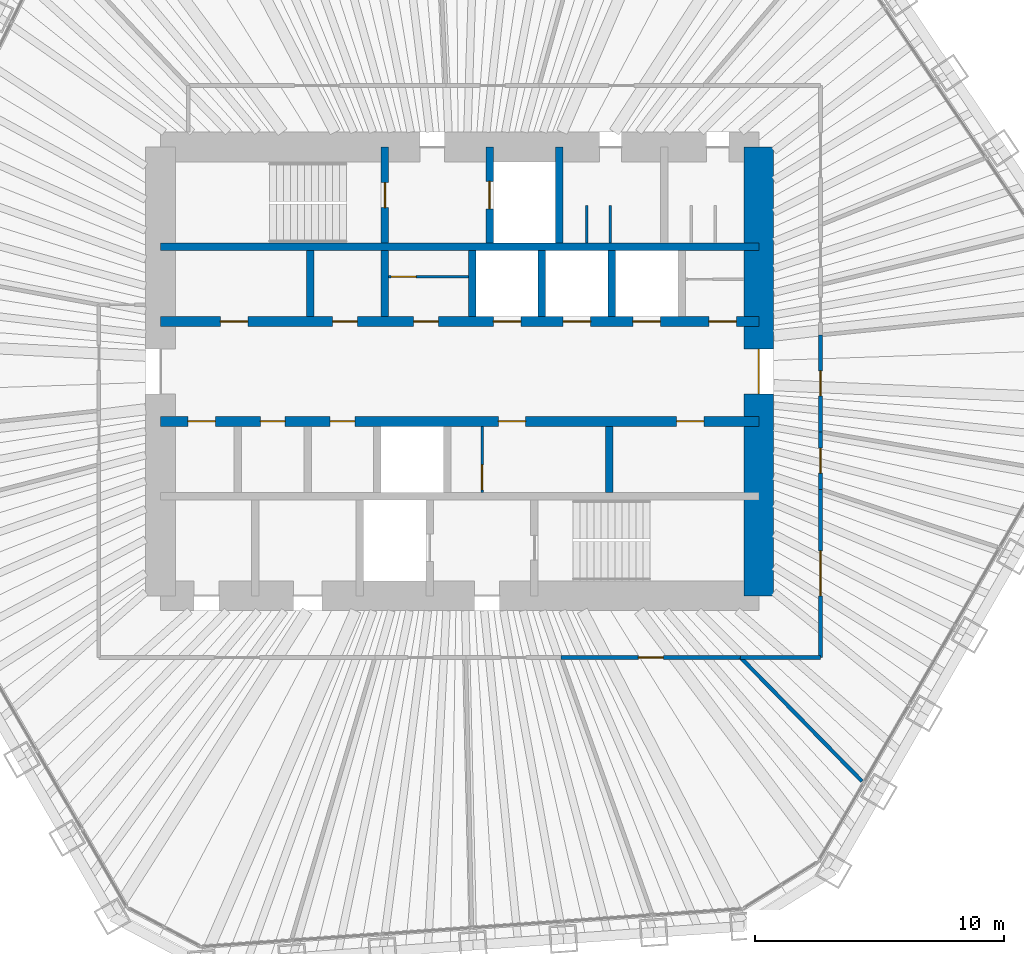
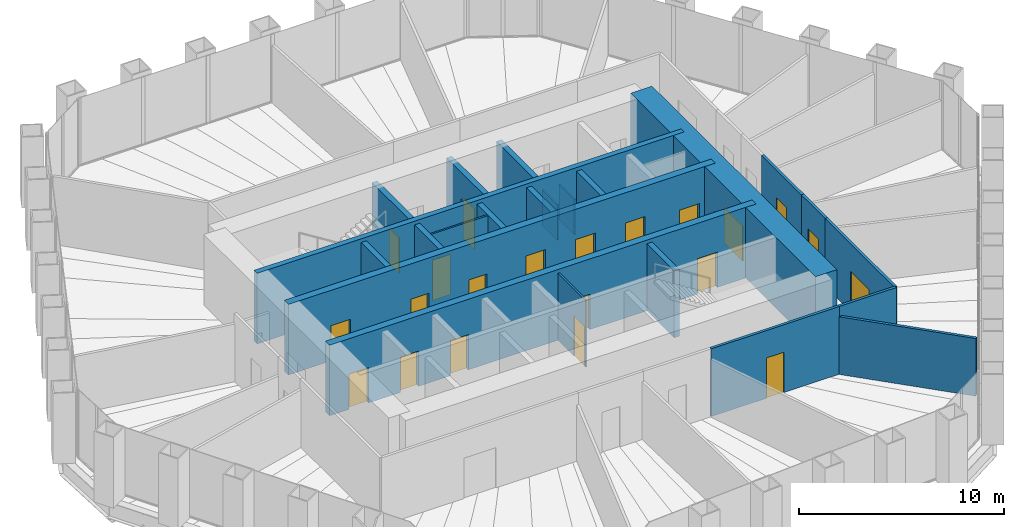
# One storey, part 11 of 13: 23 walls, 21 doors, 21 openings.
"""IFC4 building model written with IfcOpenShell, lengths in metres."""

import ifcopenshell
import ifcopenshell.guid

model = None  # the IFC model being written
_history = None  # IfcOwnerHistory: only IFC2X3 demands one
_inside = {}  # id of a spatial element -> (the spatial element, [elements in it])
_under = {}  # id of a project, library or spatial element -> (it, [spatial elements below it])
_declared = {}  # id of a project -> (the project, [libraries it declares])
_typed = {}  # id of a type object -> (the type object, [elements of that type])
_made_of = {}  # id of a material, layer set ... -> (it, [elements and type objects made of it])


def new_model(schema):
    """Start an empty IFC model of exactly this schema.

    Asked for "IFC4X3", IfcOpenShell would pick the latest addendum, in which some entities
    have other attributes; the version numbers below select the first issue.
    IFC2X3 requires an IfcOwnerHistory on every rooted entity: one is made here for all.
    """
    global model, _history
    if schema == "IFC4X3":
        model = ifcopenshell.file(schema_version=(4, 3, 0, 0))
    else:
        model = ifcopenshell.file(schema=schema)
    _inside.clear()
    _under.clear()
    _declared.clear()
    _typed.clear()
    _made_of.clear()
    _history = None
    if model.schema == "IFC2X3":
        org = make("IfcOrganization", Name="unknown")
        user = make(
            "IfcPersonAndOrganization",
            ThePerson=make("IfcPerson", FamilyName="unknown"),
            TheOrganization=org,
        )
        app = make(
            "IfcApplication",
            ApplicationDeveloper=org,
            Version="unknown",
            ApplicationFullName="unknown",
            ApplicationIdentifier="unknown",
        )
        _history = make(
            "IfcOwnerHistory",
            OwningUser=user,
            OwningApplication=app,
            ChangeAction="ADDED",
            CreationDate=0,
        )
    return model


def make(cls, **values):
    """One entity of the class cls with the attributes given. An attribute that is None is left unset."""
    return model.create_entity(
        cls, **{name: value for name, value in values.items() if value is not None}
    )


def rooted(cls, **values):
    """An entity with a GlobalId (a new one), such as an element, a storey or a relation."""
    return make(cls, GlobalId=ifcopenshell.guid.new(), OwnerHistory=_history, **values)


def si_unit(unit_type, name, prefix=None):
    """IfcSIUnit, for example si_unit("LENGTHUNIT", "METRE", prefix="MILLI")."""
    return make("IfcSIUnit", UnitType=unit_type, Prefix=prefix, Name=name)


def assignment(units):
    """IfcUnitAssignment: the units of a project."""
    return None if units is None else make("IfcUnitAssignment", Units=units)


def point(xyz):
    """IfcCartesianPoint."""
    return None if xyz is None else make("IfcCartesianPoint", Coordinates=xyz)


def direction(xyz):
    """IfcDirection."""
    return None if xyz is None else make("IfcDirection", DirectionRatios=xyz)


def frame(location, z_axis=None, x_axis=None):
    """IfcAxis2Placement3D, a coordinate frame: its origin and axes. An axis left out is left unset."""
    return make(
        "IfcAxis2Placement3D",
        Location=point(location),
        Axis=direction(z_axis),
        RefDirection=direction(x_axis),
    )


def frame_2d(location, x_axis=None):
    """IfcAxis2Placement2D, a coordinate frame in the plane: its origin and x axis."""
    return make(
        "IfcAxis2Placement2D", Location=point(location), RefDirection=direction(x_axis)
    )


def origin():
    """The frame at (0, 0, 0) with its axes left unset."""
    return frame((0.0, 0.0, 0.0))


def place(relative_to, where):
    """IfcLocalPlacement: puts the frame where relative to a parent placement (None: the world)."""
    return make(
        "IfcLocalPlacement", PlacementRelTo=relative_to, RelativePlacement=where
    )


def context(
    kind, dimensions, precision=None, world=None, true_north=None, identifier=None
):
    """IfcGeometricRepresentationContext, for example the 3D "Model" context."""
    return make(
        "IfcGeometricRepresentationContext",
        ContextIdentifier=identifier,
        ContextType=kind,
        CoordinateSpaceDimension=dimensions,
        Precision=precision,
        WorldCoordinateSystem=world,
        TrueNorth=true_north,
    )


def subcontext(parent, identifier, kind, view, scale=None):
    """IfcGeometricRepresentationSubContext, for example "Body" below "Model"."""
    return make(
        "IfcGeometricRepresentationSubContext",
        ContextIdentifier=identifier,
        ContextType=kind,
        ParentContext=parent,
        TargetScale=scale,
        TargetView=view,
    )


def project(units=None, contexts=None):
    """IfcProject with its units and contexts."""
    return rooted(
        "IfcProject",
        Name="project",
        RepresentationContexts=contexts,
        UnitsInContext=assignment(units),
    )


def spatial(cls, under=None, at=None, **own):
    """A site, building, storey or space (cls), placed at a placement, below another one or the project."""
    s = rooted(cls, ObjectPlacement=at, **own)
    if under is not None:
        _under.setdefault(under.id(), (under, []))[1].append(s)
    return s


def profile(cls, at=None, kind="AREA", **sizes):
    """A parametric profile (cls). Its sizes go by their IFC names, for example OverallWidth=200.0."""
    return make(cls, ProfileType=kind, Position=at, **sizes)


def rectangle(**sizes):
    """IfcRectangleProfileDef."""
    return profile("IfcRectangleProfileDef", **sizes)


def extrude(swept, where, along, depth):
    """IfcExtrudedAreaSolid: the profile swept, set in the frame where, extruded along a direction by depth."""
    return make(
        "IfcExtrudedAreaSolid",
        SweptArea=swept,
        Position=where,
        ExtrudedDirection=direction(along),
        Depth=depth,
    )


def shape(context_of_items, identifier, shape_type, items):
    """IfcShapeRepresentation: the items that make up one representation, for example the "Body"."""
    return make(
        "IfcShapeRepresentation",
        ContextOfItems=context_of_items,
        RepresentationIdentifier=identifier,
        RepresentationType=shape_type,
        Items=items,
    )


def material(Name=None, Category=None):
    """IfcMaterial."""
    return make("IfcMaterial", Name=Name, Category=Category)


def layer(
    of_material, thickness, ventilated=None, Name=None, Category=None, Priority=None
):
    """IfcMaterialLayer: one layer of a wall or slab, of a material (None: an air gap)."""
    return make(
        "IfcMaterialLayer",
        Material=of_material,
        LayerThickness=thickness,
        IsVentilated=ventilated,
        Name=Name,
        Category=Category,
        Priority=Priority,
    )


def layer_set(layers, Name=None):
    """IfcMaterialLayerSet."""
    return make("IfcMaterialLayerSet", MaterialLayers=layers, LayerSetName=Name)


def made_of(thing, what):
    """Note that an element or type object is made of a material, layer set ...; save() writes the relation."""
    if what is not None:
        _made_of.setdefault(what.id(), (what, []))[1].append(thing)
    return thing


def type_object(cls, material=None, **own):
    """A type object (cls), such as IfcWallType, which elements share."""
    return made_of(rooted(cls, **own), material)


def element(
    cls,
    number,
    at=None,
    inside=None,
    cuts=None,
    type_object=None,
    material=None,
    context=None,
    identifier="Body",
    shape_type=None,
    held_by="IfcProductDefinitionShape",
    body=None,
    shapes=None,
    **own,
):
    """One element of the class cls, such as IfcWall. Its Tag is "e" and its number.

    at: its placement. inside: the storey or other place that contains it. cuts: it is an
    opening in that element (IfcRelVoidsElement). A single representation is given by context,
    identifier, shape_type and body (its items); several are given by shapes. held_by: the class
    of the entity that holds the representations. save() writes the other relations.
    """
    e = rooted(cls, Tag="e%d" % number, ObjectPlacement=at, **own)
    if body is not None:
        shapes = [shape(context, identifier, shape_type, body)]
    if shapes is not None:
        e.Representation = make(held_by, Representations=shapes)
    if inside is not None:
        _inside.setdefault(inside.id(), (inside, []))[1].append(e)
    if cuts is not None:
        rooted(
            "IfcRelVoidsElement", RelatingBuildingElement=cuts, RelatedOpeningElement=e
        )
    if type_object is not None:
        _typed.setdefault(type_object.id(), (type_object, []))[1].append(e)
    return made_of(e, material)


def fill(opening, filler):
    """IfcRelFillsElement: the door or window that sits in an opening."""
    return rooted(
        "IfcRelFillsElement",
        RelatingOpeningElement=opening,
        RelatedBuildingElement=filler,
    )


def aggregate(whole, parts):
    """IfcRelAggregates: a whole, such as a stair, and the parts it consists of."""
    return rooted("IfcRelAggregates", RelatingObject=whole, RelatedObjects=parts)


def save(model, path):
    """Write the relations noted so far, then the file.

    IfcRelAggregates (storeys below a building ...), IfcRelContainedInSpatialStructure (elements
    in a storey), IfcRelDefinesByType, IfcRelAssociatesMaterial and IfcRelDeclares: one each for
    every whole, place, type object, material and project.
    """
    for whole, parts in _under.values():
        aggregate(whole, parts)
    for where, things in _inside.values():
        rooted(
            "IfcRelContainedInSpatialStructure",
            RelatedElements=things,
            RelatingStructure=where,
        )
    for kind, things in _typed.values():
        rooted("IfcRelDefinesByType", RelatedObjects=things, RelatingType=kind)
    for what, things in _made_of.values():
        rooted("IfcRelAssociatesMaterial", RelatedObjects=things, RelatingMaterial=what)
    for by, libraries in _declared.values():
        rooted("IfcRelDeclares", RelatingContext=by, RelatedDefinitions=libraries)
    model.write(path)


model = new_model("IFC4")

# Units and contexts
model_context = context("Model", 3, precision=1e-05, world=origin(), true_north=direction((0.0, 1.0)))
body_context = subcontext(model_context, "Body", "Model", "MODEL_VIEW")
ifc_project = project(units=[si_unit("LENGTHUNIT", "METRE"), si_unit("AREAUNIT", "SQUARE_METRE"), si_unit("VOLUMEUNIT", "CUBIC_METRE"), si_unit("PLANEANGLEUNIT", "RADIAN"), si_unit("MASSUNIT", "GRAM", prefix="KILO")], contexts=[model_context])

# Site, building, storey
site_placement = place(None, origin())
site = spatial("IfcSite", under=ifc_project, at=site_placement, CompositionType="ELEMENT")
building_placement = place(site_placement, origin())
building = spatial("IfcBuilding", under=site, at=building_placement, Name="Qingtian Harvest Tower", CompositionType="ELEMENT")
storey_placement = place(building_placement, frame((0.0, 0.0, 209.800048828125)))
storey = spatial("IfcBuildingStorey", under=building, at=storey_placement, Name="L45", CompositionType="ELEMENT", Elevation=209.800048828125)

# Wall
ifc_material_1 = material(Name="Concrete fc' 70 MPa", Category="concrete")
ifc_layer_1 = layer(ifc_material_1, 0.300048828125)
ifc_layer_set_1 = layer_set([ifc_layer_1], Name="Core inner wall RC5 300")
wall_type_1 = type_object("IfcWallType", Name="Core inner wall RC5 300", PredefinedType="SHEAR", material=ifc_layer_set_1)
wall_1_placement = place(storey_placement, frame((-12.0, 5.0, 0.0), z_axis=(0.0, 0.0, 1.0), x_axis=(1.0, 0.0, 0.0)))
element("IfcWall", 1, at=wall_1_placement, inside=storey, type_object=wall_type_1, Name="Core wall IN5 L45", PredefinedType="SHEAR", context=body_context, shape_type="SweptSolid", body=[
    extrude(rectangle(XDim=24.0, YDim=0.300048828125, at=frame_2d((12.0, 0.0))), origin(), (0.0, 0.0, 1.0), 4.199951171875),
])

# Wall, openings, doors
ifc_material_2 = material(Name="Concrete fc' 70 MPa", Category="concrete")
ifc_layer_2 = layer(ifc_material_2, 0.39990234375)
ifc_layer_set_2 = layer_set([ifc_layer_2], Name="Core inner web RC6 400")
wall_type_2 = type_object("IfcWallType", Name="Core inner web RC6 400", PredefinedType="SHEAR", material=ifc_layer_set_2)
wall_2_placement = place(storey_placement, frame((-12.0, 2.0, 0.0), z_axis=(0.0, 0.0, 1.0), x_axis=(1.0, 0.0, 0.0)))
wall_2 = element("IfcWall", 2, at=wall_2_placement, inside=storey, type_object=wall_type_2, Name="Core wall IN2 L45", PredefinedType="SHEAR", context=body_context, shape_type="SweptSolid", body=[
    extrude(rectangle(XDim=24.0, YDim=0.39990234375, at=frame_2d((12.0, 0.0))), origin(), (0.0, 0.0, 1.0), 4.199951171875),
])
opening_1_placement = place(wall_2_placement, frame((2.39990234375, 0.0, 0.0)))
opening_1 = element("IfcOpeningElement", 3, at=opening_1_placement, cuts=wall_2, Name="Opening FD4", PredefinedType="OPENING", context=body_context, shape_type="SweptSolid", body=[
    extrude(rectangle(XDim=1.10009765625, YDim=2.10009765625, at=frame_2d((0.550048828125, 1.050048828125))), frame((0.0, 0.2099609375, 0.0), z_axis=(0.0, -1.0, 0.0), x_axis=(1.0, 0.0, 0.0)), (0.0, 0.0, 1.0), 0.419921875),
])
opening_2_placement = place(wall_2_placement, frame((22.0, 0.0, 0.0)))
opening_2 = element("IfcOpeningElement", 4, at=opening_2_placement, cuts=wall_2, Name="Opening FD4", PredefinedType="OPENING", context=body_context, shape_type="SweptSolid", body=[
    extrude(rectangle(XDim=1.10009765625, YDim=2.10009765625, at=frame_2d((0.550048828125, 1.050048828125))), frame((0.0, 0.2099609375, 0.0), z_axis=(0.0, -1.0, 0.0), x_axis=(1.0, 0.0, 0.0)), (0.0, 0.0, 1.0), 0.419921875),
])
opening_3_placement = place(wall_2_placement, frame((10.14990234375, 0.0, 0.0)))
opening_3 = element("IfcOpeningElement", 5, at=opening_3_placement, cuts=wall_2, Name="Opening FD1", PredefinedType="OPENING", context=body_context, shape_type="SweptSolid", body=[
    extrude(rectangle(XDim=1.0, YDim=2.10009765625, at=frame_2d((0.5, 1.050048828125))), frame((0.0, 0.2099609375, 0.0), z_axis=(0.0, -1.0, 0.0), x_axis=(1.0, 0.0, 0.0)), (0.0, 0.0, 1.0), 0.419921875),
])
opening_4_placement = place(wall_2_placement, frame((6.89990234375, 0.0, 0.0)))
opening_4 = element("IfcOpeningElement", 6, at=opening_4_placement, cuts=wall_2, Name="Opening FD1", PredefinedType="OPENING", context=body_context, shape_type="SweptSolid", body=[
    extrude(rectangle(XDim=1.0, YDim=2.10009765625, at=frame_2d((0.5, 1.050048828125))), frame((0.0, 0.2099609375, 0.0), z_axis=(0.0, -1.0, 0.0), x_axis=(1.0, 0.0, 0.0)), (0.0, 0.0, 1.0), 0.419921875),
])
opening_5_placement = place(wall_2_placement, frame((13.35009765625, 0.0, 0.0)))
opening_5 = element("IfcOpeningElement", 7, at=opening_5_placement, cuts=wall_2, Name="Opening LD1", PredefinedType="OPENING", context=body_context, shape_type="SweptSolid", body=[
    extrude(rectangle(XDim=1.10009765625, YDim=2.39990234375, at=frame_2d((0.550048828125, 1.199951171875))), frame((0.0, 0.2099609375, 0.0), z_axis=(0.0, -1.0, 0.0), x_axis=(1.0, 0.0, 0.0)), (0.0, 0.0, 1.0), 0.419921875),
])
opening_6_placement = place(wall_2_placement, frame((16.14990234375, 0.0, 0.0)))
opening_6 = element("IfcOpeningElement", 8, at=opening_6_placement, cuts=wall_2, Name="Opening LD1", PredefinedType="OPENING", context=body_context, shape_type="SweptSolid", body=[
    extrude(rectangle(XDim=1.10009765625, YDim=2.39990234375, at=frame_2d((0.550048828125, 1.199951171875))), frame((0.0, 0.2099609375, 0.0), z_axis=(0.0, -1.0, 0.0), x_axis=(1.0, 0.0, 0.0)), (0.0, 0.0, 1.0), 0.419921875),
])
opening_7_placement = place(wall_2_placement, frame((18.949951171875, 0.0, 0.0)))
opening_7 = element("IfcOpeningElement", 9, at=opening_7_placement, cuts=wall_2, Name="Opening LD1", PredefinedType="OPENING", context=body_context, shape_type="SweptSolid", body=[
    extrude(rectangle(XDim=1.10009765625, YDim=2.39990234375, at=frame_2d((0.550048828125, 1.199951171875))), frame((0.0, 0.2099609375, 0.0), z_axis=(0.0, -1.0, 0.0), x_axis=(1.0, 0.0, 0.0)), (0.0, 0.0, 1.0), 0.419921875),
])
ifc_material_3 = material(Name="Steel-faced door leaf", Category="steel")
door_type_1 = type_object("IfcDoorType", Name="Fire door FD1 single 1 HR", OperationType="SINGLE_SWING_LEFT", PredefinedType="DOOR", material=ifc_material_3)
door_1_placement = place(opening_3_placement, origin())
door_1 = element("IfcDoor", 10, at=door_1_placement, inside=storey, type_object=door_type_1, Name="STA door L45", OperationType="SINGLE_SWING_LEFT", OverallHeight=2.10009765625, OverallWidth=1.0, PredefinedType="DOOR", context=body_context, shape_type="SweptSolid", body=[
    extrude(rectangle(XDim=1.0, YDim=2.10009765625, at=frame_2d((0.5, 1.050048828125))), frame((0.0, 0.02490234375, 0.0), z_axis=(0.0, -1.0, 0.0), x_axis=(1.0, 0.0, 0.0)), (0.0, 0.0, 1.0), 0.050048828125),
])
fill(opening_3, door_1)
door_2_placement = place(opening_4_placement, origin())
door_2 = element("IfcDoor", 11, at=door_2_placement, inside=storey, type_object=door_type_1, Name="Linen store door L45", OperationType="SINGLE_SWING_LEFT", OverallHeight=2.10009765625, OverallWidth=1.0, PredefinedType="DOOR", context=body_context, shape_type="SweptSolid", body=[
    extrude(rectangle(XDim=1.0, YDim=2.10009765625, at=frame_2d((0.5, 1.050048828125))), frame((0.0, 0.02490234375, 0.0), z_axis=(0.0, -1.0, 0.0), x_axis=(1.0, 0.0, 0.0)), (0.0, 0.0, 1.0), 0.050048828125),
])
fill(opening_4, door_2)
ifc_material_4 = material(Name="Steel-faced door leaf", Category="steel")
door_type_2 = type_object("IfcDoorType", Name="Fire door FD4 single 2 HR", OperationType="SINGLE_SWING_LEFT", PredefinedType="DOOR", material=ifc_material_4)
door_3_placement = place(opening_1_placement, origin())
door_3 = element("IfcDoor", 12, at=door_3_placement, inside=storey, type_object=door_type_2, Name="RA door L45", OperationType="SINGLE_SWING_LEFT", OverallHeight=2.10009765625, OverallWidth=1.10009765625, PredefinedType="DOOR", context=body_context, shape_type="SweptSolid", body=[
    extrude(rectangle(XDim=1.10009765625, YDim=2.10009765625, at=frame_2d((0.550048828125, 1.050048828125))), frame((0.0, 0.02490234375, 0.0), z_axis=(0.0, -1.0, 0.0), x_axis=(1.0, 0.0, 0.0)), (0.0, 0.0, 1.0), 0.050048828125),
])
fill(opening_1, door_3)
door_4_placement = place(opening_2_placement, origin())
door_4 = element("IfcDoor", 13, at=door_4_placement, inside=storey, type_object=door_type_2, Name="AHU door L45", OperationType="SINGLE_SWING_RIGHT", OverallHeight=2.10009765625, OverallWidth=1.10009765625, PredefinedType="DOOR", context=body_context, shape_type="SweptSolid", body=[
    extrude(rectangle(XDim=1.10009765625, YDim=2.10009765625, at=frame_2d((0.550048828125, 1.050048828125))), frame((0.0, 0.02490234375, 0.0), z_axis=(0.0, -1.0, 0.0), x_axis=(1.0, 0.0, 0.0)), (0.0, 0.0, 1.0), 0.050048828125),
])
fill(opening_2, door_4)
ifc_material_5 = material(Name="Stainless steel lift landing door", Category="steel")
door_type_3 = type_object("IfcDoorType", Name="Lift landing door LD1 1 HR", OperationType="DOUBLE_DOOR_SLIDING", PredefinedType="DOOR", material=ifc_material_5)
door_5_placement = place(opening_5_placement, origin())
door_5 = element("IfcDoor", 14, at=door_5_placement, inside=storey, type_object=door_type_3, Name="PLC1 landing door L45", OperationType="DOUBLE_DOOR_SLIDING", OverallHeight=2.39990234375, OverallWidth=1.10009765625, PredefinedType="DOOR", context=body_context, shape_type="SweptSolid", body=[
    extrude(rectangle(XDim=1.10009765625, YDim=2.39990234375, at=frame_2d((0.550048828125, 1.199951171875))), frame((0.0, 0.02490234375, 0.0), z_axis=(0.0, -1.0, 0.0), x_axis=(1.0, 0.0, 0.0)), (0.0, 0.0, 1.0), 0.050048828125),
])
fill(opening_5, door_5)
door_6_placement = place(opening_6_placement, origin())
door_6 = element("IfcDoor", 15, at=door_6_placement, inside=storey, type_object=door_type_3, Name="PLC2 landing door L45", OperationType="DOUBLE_DOOR_SLIDING", OverallHeight=2.39990234375, OverallWidth=1.10009765625, PredefinedType="DOOR", context=body_context, shape_type="SweptSolid", body=[
    extrude(rectangle(XDim=1.10009765625, YDim=2.39990234375, at=frame_2d((0.550048828125, 1.199951171875))), frame((0.0, 0.02490234375, 0.0), z_axis=(0.0, -1.0, 0.0), x_axis=(1.0, 0.0, 0.0)), (0.0, 0.0, 1.0), 0.050048828125),
])
fill(opening_6, door_6)
door_7_placement = place(opening_7_placement, origin())
door_7 = element("IfcDoor", 16, at=door_7_placement, inside=storey, type_object=door_type_3, Name="PLC3 landing door L45", OperationType="DOUBLE_DOOR_SLIDING", OverallHeight=2.39990234375, OverallWidth=1.10009765625, PredefinedType="DOOR", context=body_context, shape_type="SweptSolid", body=[
    extrude(rectangle(XDim=1.10009765625, YDim=2.39990234375, at=frame_2d((0.550048828125, 1.199951171875))), frame((0.0, 0.02490234375, 0.0), z_axis=(0.0, -1.0, 0.0), x_axis=(1.0, 0.0, 0.0)), (0.0, 0.0, 1.0), 0.050048828125),
])
fill(opening_7, door_7)

wall_3_placement = place(storey_placement, frame((-12.0, -2.0, 0.0), z_axis=(0.0, 0.0, 1.0), x_axis=(1.0, 0.0, 0.0)))
wall_3 = element("IfcWall", 17, at=wall_3_placement, inside=storey, type_object=wall_type_2, Name="Core wall IS2 L45", PredefinedType="SHEAR", context=body_context, shape_type="SweptSolid", body=[
    extrude(rectangle(XDim=24.0, YDim=0.39990234375, at=frame_2d((12.0, 0.0))), origin(), (0.0, 0.0, 1.0), 4.199951171875),
])
opening_8_placement = place(wall_3_placement, frame((1.10009765625, 0.0, 0.0)))
opening_8 = element("IfcOpeningElement", 18, at=opening_8_placement, cuts=wall_3, Name="Opening FD4", PredefinedType="OPENING", context=body_context, shape_type="SweptSolid", body=[
    extrude(rectangle(XDim=1.10009765625, YDim=2.10009765625, at=frame_2d((0.550048828125, 1.050048828125))), frame((0.0, 0.2099609375, 0.0), z_axis=(0.0, -1.0, 0.0), x_axis=(1.0, 0.0, 0.0)), (0.0, 0.0, 1.0), 0.419921875),
])
opening_9_placement = place(wall_3_placement, frame((13.550048828125, 0.0, 0.0)))
opening_9 = element("IfcOpeningElement", 19, at=opening_9_placement, cuts=wall_3, Name="Opening FD4", PredefinedType="OPENING", context=body_context, shape_type="SweptSolid", body=[
    extrude(rectangle(XDim=1.10009765625, YDim=2.10009765625, at=frame_2d((0.550048828125, 1.050048828125))), frame((0.0, 0.2099609375, 0.0), z_axis=(0.0, -1.0, 0.0), x_axis=(1.0, 0.0, 0.0)), (0.0, 0.0, 1.0), 0.419921875),
])
opening_10_placement = place(wall_3_placement, frame((20.699951171875, 0.0, 0.0)))
opening_10 = element("IfcOpeningElement", 20, at=opening_10_placement, cuts=wall_3, Name="Opening FD4", PredefinedType="OPENING", context=body_context, shape_type="SweptSolid", body=[
    extrude(rectangle(XDim=1.10009765625, YDim=2.10009765625, at=frame_2d((0.550048828125, 1.050048828125))), frame((0.0, 0.2099609375, 0.0), z_axis=(0.0, -1.0, 0.0), x_axis=(1.0, 0.0, 0.0)), (0.0, 0.0, 1.0), 0.419921875),
])
opening_11_placement = place(wall_3_placement, frame((4.0, 0.0, 0.0)))
opening_11 = element("IfcOpeningElement", 21, at=opening_11_placement, cuts=wall_3, Name="Opening FD1", PredefinedType="OPENING", context=body_context, shape_type="SweptSolid", body=[
    extrude(rectangle(XDim=1.0, YDim=2.10009765625, at=frame_2d((0.5, 1.050048828125))), frame((0.0, 0.2099609375, 0.0), z_axis=(0.0, -1.0, 0.0), x_axis=(1.0, 0.0, 0.0)), (0.0, 0.0, 1.0), 0.419921875),
])
opening_12_placement = place(wall_3_placement, frame((6.800048828125, 0.0, 0.0)))
opening_12 = element("IfcOpeningElement", 22, at=opening_12_placement, cuts=wall_3, Name="Opening FD1", PredefinedType="OPENING", context=body_context, shape_type="SweptSolid", body=[
    extrude(rectangle(XDim=1.0, YDim=2.10009765625, at=frame_2d((0.5, 1.050048828125))), frame((0.0, 0.2099609375, 0.0), z_axis=(0.0, -1.0, 0.0), x_axis=(1.0, 0.0, 0.0)), (0.0, 0.0, 1.0), 0.419921875),
])
door_8_placement = place(opening_11_placement, origin())
door_8 = element("IfcDoor", 23, at=door_8_placement, inside=storey, type_object=door_type_1, Name="Store door L45", OperationType="SINGLE_SWING_RIGHT", OverallHeight=2.10009765625, OverallWidth=1.0, PredefinedType="DOOR", context=body_context, shape_type="SweptSolid", body=[
    extrude(rectangle(XDim=1.0, YDim=2.10009765625, at=frame_2d((0.5, 1.050048828125))), frame((0.0, 0.02490234375, 0.0), z_axis=(0.0, -1.0, 0.0), x_axis=(1.0, 0.0, 0.0)), (0.0, 0.0, 1.0), 0.050048828125),
])
fill(opening_11, door_8)
door_9_placement = place(opening_12_placement, origin())
door_9 = element("IfcDoor", 24, at=door_9_placement, inside=storey, type_object=door_type_1, Name="Linen store door L45", OperationType="SINGLE_SWING_RIGHT", OverallHeight=2.10009765625, OverallWidth=1.0, PredefinedType="DOOR", context=body_context, shape_type="SweptSolid", body=[
    extrude(rectangle(XDim=1.0, YDim=2.10009765625, at=frame_2d((0.5, 1.050048828125))), frame((0.0, 0.02490234375, 0.0), z_axis=(0.0, -1.0, 0.0), x_axis=(1.0, 0.0, 0.0)), (0.0, 0.0, 1.0), 0.050048828125),
])
fill(opening_12, door_9)
door_10_placement = place(opening_8_placement, origin())
door_10 = element("IfcDoor", 25, at=door_10_placement, inside=storey, type_object=door_type_2, Name="RB door L45", OperationType="SINGLE_SWING_RIGHT", OverallHeight=2.10009765625, OverallWidth=1.10009765625, PredefinedType="DOOR", context=body_context, shape_type="SweptSolid", body=[
    extrude(rectangle(XDim=1.10009765625, YDim=2.10009765625, at=frame_2d((0.550048828125, 1.050048828125))), frame((0.0, 0.02490234375, 0.0), z_axis=(0.0, -1.0, 0.0), x_axis=(1.0, 0.0, 0.0)), (0.0, 0.0, 1.0), 0.050048828125),
])
fill(opening_8, door_10)
door_11_placement = place(opening_9_placement, origin())
door_11 = element("IfcDoor", 26, at=door_11_placement, inside=storey, type_object=door_type_2, Name="ELEC door L45", OperationType="SINGLE_SWING_LEFT", OverallHeight=2.10009765625, OverallWidth=1.10009765625, PredefinedType="DOOR", context=body_context, shape_type="SweptSolid", body=[
    extrude(rectangle(XDim=1.10009765625, YDim=2.10009765625, at=frame_2d((0.550048828125, 1.050048828125))), frame((0.0, 0.02490234375, 0.0), z_axis=(0.0, -1.0, 0.0), x_axis=(1.0, 0.0, 0.0)), (0.0, 0.0, 1.0), 0.050048828125),
])
fill(opening_9, door_11)
door_12_placement = place(opening_10_placement, origin())
door_12 = element("IfcDoor", 27, at=door_12_placement, inside=storey, type_object=door_type_2, Name="DUCT door L45", OperationType="SINGLE_SWING_LEFT", OverallHeight=2.10009765625, OverallWidth=1.10009765625, PredefinedType="DOOR", context=body_context, shape_type="SweptSolid", body=[
    extrude(rectangle(XDim=1.10009765625, YDim=2.10009765625, at=frame_2d((0.550048828125, 1.050048828125))), frame((0.0, 0.02490234375, 0.0), z_axis=(0.0, -1.0, 0.0), x_axis=(1.0, 0.0, 0.0)), (0.0, 0.0, 1.0), 0.050048828125),
])
fill(opening_10, door_12)

# Wall, opening, door
ifc_material_6 = material(Name="Precast concrete shaft panel", Category="concrete")
ifc_layer_3 = layer(ifc_material_6, 0.300048828125)
ifc_layer_set_3 = layer_set([ifc_layer_3], Name="Core shaft partition SW1 300")
wall_type_3 = type_object("IfcWallType", Name="Core shaft partition SW1 300", PredefinedType="PARTITIONING", material=ifc_layer_set_3)
wall_4_placement = place(storey_placement, frame((-3.0, 5.14990234375, 0.0), z_axis=(0.0, 0.0, 1.0), x_axis=(0.0, 1.0, 0.0)))
wall_4 = element("IfcWall", 28, at=wall_4_placement, inside=storey, type_object=wall_type_3, Name="Core shaft partition XN1 L45", PredefinedType="PARTITIONING", context=body_context, shape_type="SweptSolid", body=[
    extrude(rectangle(XDim=3.85009765625, YDim=0.300048828125, at=frame_2d((1.925048828125, 0.0))), origin(), (0.0, 0.0, 1.0), 3.97998046875),
])
opening_13_placement = place(wall_4_placement, frame((1.425048828125, 0.0, 0.0)))
opening_13 = element("IfcOpeningElement", 29, at=opening_13_placement, cuts=wall_4, Name="Opening FD1", PredefinedType="OPENING", context=body_context, shape_type="SweptSolid", body=[
    extrude(rectangle(XDim=1.0, YDim=2.10009765625, at=frame_2d((0.5, 1.050048828125))), frame((0.0, 0.159912109375, 0.0), z_axis=(0.0, -1.0, 0.0), x_axis=(1.0, 0.0, 0.0)), (0.0, 0.0, 1.0), 0.320068359375),
])
door_13_placement = place(opening_13_placement, origin())
door_13 = element("IfcDoor", 30, at=door_13_placement, inside=storey, type_object=door_type_1, Name="S1 door L45", OperationType="SINGLE_SWING_RIGHT", OverallHeight=2.10009765625, OverallWidth=1.0, PredefinedType="DOOR", context=body_context, shape_type="SweptSolid", body=[
    extrude(rectangle(XDim=1.0, YDim=2.10009765625, at=frame_2d((0.5, 1.050048828125))), frame((0.0, 0.02490234375, 0.0), z_axis=(0.0, -1.0, 0.0), x_axis=(1.0, 0.0, 0.0)), (0.0, 0.0, 1.0), 0.050048828125),
])
fill(opening_13, door_13)

wall_5_placement = place(storey_placement, frame((1.199951171875, 5.14990234375, 0.0), z_axis=(0.0, 0.0, 1.0), x_axis=(0.0, 1.0, 0.0)))
wall_5 = element("IfcWall", 31, at=wall_5_placement, inside=storey, type_object=wall_type_3, Name="Core shaft partition XN2 L45", PredefinedType="PARTITIONING", context=body_context, shape_type="SweptSolid", body=[
    extrude(rectangle(XDim=3.85009765625, YDim=0.300048828125, at=frame_2d((1.925048828125, 0.0))), origin(), (0.0, 0.0, 1.0), 3.97998046875),
])
opening_14_placement = place(wall_5_placement, frame((1.375, 0.0, 0.0)))
opening_14 = element("IfcOpeningElement", 32, at=opening_14_placement, cuts=wall_5, Name="Opening LD1", PredefinedType="OPENING", context=body_context, shape_type="SweptSolid", body=[
    extrude(rectangle(XDim=1.10009765625, YDim=2.39990234375, at=frame_2d((0.550048828125, 1.199951171875))), frame((0.0, 0.159912109375, 0.0), z_axis=(0.0, -1.0, 0.0), x_axis=(1.0, 0.0, 0.0)), (0.0, 0.0, 1.0), 0.320068359375),
])
door_14_placement = place(opening_14_placement, origin())
door_14 = element("IfcDoor", 33, at=door_14_placement, inside=storey, type_object=door_type_3, Name="FL1 landing door L45", OperationType="DOUBLE_DOOR_SLIDING", OverallHeight=2.39990234375, OverallWidth=1.10009765625, PredefinedType="DOOR", context=body_context, shape_type="SweptSolid", body=[
    extrude(rectangle(XDim=1.10009765625, YDim=2.39990234375, at=frame_2d((0.550048828125, 1.199951171875))), frame((0.0, 0.02490234375, 0.0), z_axis=(0.0, -1.0, 0.0), x_axis=(1.0, 0.0, 0.0)), (0.0, 0.0, 1.0), 0.050048828125),
])
fill(opening_14, door_14)

# Walls
wall_6_placement = place(storey_placement, frame((4.0, 5.14990234375, 0.0), z_axis=(0.0, 0.0, 1.0), x_axis=(0.0, 1.0, 0.0)))
element("IfcWall", 34, at=wall_6_placement, inside=storey, type_object=wall_type_3, Name="Core shaft partition XN3 L45", PredefinedType="PARTITIONING", context=body_context, shape_type="SweptSolid", body=[
    extrude(rectangle(XDim=3.85009765625, YDim=0.300048828125, at=frame_2d((1.925048828125, 0.0))), origin(), (0.0, 0.0, 1.0), 3.97998046875),
])
for number, where, z_axis, x_axis, name in (
    (35, (-6.0, 2.199951171875, 0.0), (0.0, 0.0, 1.0), (0.0, 1.0, 0.0), "Core shaft partition XA1 L45"),
    (36, (-3.0, 2.199951171875, 0.0), (0.0, 0.0, 1.0), (0.0, 1.0, 0.0), "Core shaft partition XA2 L45"),
    (37, (0.5, 2.199951171875, 0.0), (0.0, 0.0, 1.0), (0.0, 1.0, 0.0), "Core shaft partition XA3 L45"),
    (38, (3.300048828125, 2.199951171875, 0.0), (0.0, 0.0, 1.0), (0.0, 1.0, 0.0), "Core shaft partition XA4 L45"),
    (39, (6.10009765625, 2.199951171875, 0.0), (0.0, 0.0, 1.0), (0.0, 1.0, 0.0), "Core shaft partition XA5 L45"),
    (40, (6.0, -4.85009765625, 0.0), (0.0, 0.0, 1.0), (0.0, 1.0, 0.0), "Core shaft partition XB5 L45"),
):
    element("IfcWall", number, at=place(storey_placement, frame(where, z_axis=z_axis, x_axis=x_axis)), inside=storey, type_object=wall_type_3, Name=name, PredefinedType="PARTITIONING", context=body_context, shape_type="SweptSolid", body=[
        extrude(rectangle(XDim=2.650146484375, YDim=0.300048828125, at=frame_2d((1.3251953125, 0.0))), origin(), (0.0, 0.0, 1.0), 3.97998046875),
    ])

# Wall, opening, door
ifc_material_7 = material(Name="Concrete fc' 70 MPa", Category="concrete")
ifc_layer_4 = layer(ifc_material_7, 1.199951171875)
ifc_layer_set_4 = layer_set([ifc_layer_4], Name="Core wall RC2 1200")
wall_type_4 = type_object("IfcWallType", Name="Core wall RC2 1200", PredefinedType="SHEAR", material=ifc_layer_set_4)
wall_7_placement = place(storey_placement, frame((12.0, -9.0, 0.0), z_axis=(0.0, 0.0, 1.0), x_axis=(0.0, 1.0, 0.0)))
wall_7 = element("IfcWall", 41, at=wall_7_placement, inside=storey, type_object=wall_type_4, Name="Core wall CE L45", PredefinedType="SHEAR", context=body_context, shape_type="SweptSolid", body=[
    extrude(rectangle(XDim=18.0, YDim=1.199951171875, at=frame_2d((9.0, 0.0))), origin(), (0.0, 0.0, 1.0), 4.199951171875),
])
opening_15_placement = place(wall_7_placement, frame((8.10009765625, 0.0, 0.0)))
opening_15 = element("IfcOpeningElement", 42, at=opening_15_placement, cuts=wall_7, Name="Opening FD2", PredefinedType="OPENING", context=body_context, shape_type="SweptSolid", body=[
    extrude(rectangle(XDim=1.800048828125, YDim=2.10009765625, at=frame_2d((0.89990234375, 1.050048828125))), frame((0.0, 0.60986328125, 0.0), z_axis=(0.0, -1.0, 0.0), x_axis=(1.0, 0.0, 0.0)), (0.0, 0.0, 1.0), 1.219970703125),
])
ifc_material_8 = material(Name="Steel-faced door leaf", Category="steel")
door_type_4 = type_object("IfcDoorType", Name="Fire door FD2 double 1 HR", OperationType="DOUBLE_DOOR_DOUBLE_SWING", PredefinedType="DOOR", material=ifc_material_8)
door_15_placement = place(opening_15_placement, origin())
door_15 = element("IfcDoor", 43, at=door_15_placement, inside=storey, type_object=door_type_4, Name="LOBBY-E door L45", OperationType="DOUBLE_DOOR_DOUBLE_SWING", OverallHeight=2.10009765625, OverallWidth=1.800048828125, PredefinedType="DOOR", context=body_context, shape_type="SweptSolid", body=[
    extrude(rectangle(XDim=1.800048828125, YDim=2.10009765625, at=frame_2d((0.89990234375, 1.050048828125))), frame((0.0, 0.02490234375, 0.0), z_axis=(0.0, -1.0, 0.0), x_axis=(1.0, 0.0, 0.0)), (0.0, 0.0, 1.0), 0.050048828125),
])
fill(opening_15, door_15)

ifc_material_9 = material(Name="Gypsum board on steel studs", Category="steel")
ifc_layer_5 = layer(ifc_material_9, 0.14990234375)
ifc_layer_set_5 = layer_set([ifc_layer_5], Name="Partition PT1 150")
wall_type_5 = type_object("IfcWallType", Name="Partition PT1 150", PredefinedType="PARTITIONING", material=ifc_layer_set_5)
wall_8_placement = place(storey_placement, frame((14.47509765625, 1.462646484375, 0.0), z_axis=(0.0, 0.0, 1.0), x_axis=(0.0, -1.0, 0.0)))
wall_8 = element("IfcWall", 44, at=wall_8_placement, inside=storey, type_object=wall_type_5, Name="Private office wall L45", PredefinedType="PARTITIONING", context=body_context, shape_type="SweptSolid", body=[
    extrude(rectangle(XDim=3.884521484375, YDim=0.14990234375, at=frame_2d((1.9423828125, 0.0))), origin(), (0.0, 0.0, 1.0), 4.030029296875),
])
opening_16_placement = place(wall_8_placement, frame((1.4423828125, 0.0, 0.0)))
opening_16 = element("IfcOpeningElement", 45, at=opening_16_placement, cuts=wall_8, Name="Opening D2", PredefinedType="OPENING", context=body_context, shape_type="SweptSolid", body=[
    extrude(rectangle(XDim=1.0, YDim=2.39990234375, at=frame_2d((0.5, 1.199951171875))), frame((0.0, 0.0849609375, 0.0), z_axis=(0.0, -1.0, 0.0), x_axis=(1.0, 0.0, 0.0)), (0.0, 0.0, 1.0), 0.169921875),
])
ifc_material_10 = material(Name="Laminated timber door leaf", Category="wood")
door_type_5 = type_object("IfcDoorType", Name="Room door D2 single", OperationType="SINGLE_SWING_LEFT", PredefinedType="DOOR", material=ifc_material_10)
door_16_placement = place(opening_16_placement, origin())
door_16 = element("IfcDoor", 46, at=door_16_placement, inside=storey, type_object=door_type_5, Name="Private office door L45", OperationType="SINGLE_SWING_RIGHT", OverallHeight=2.39990234375, OverallWidth=1.0, PredefinedType="DOOR", context=body_context, shape_type="SweptSolid", body=[
    extrude(rectangle(XDim=1.0, YDim=2.39990234375, at=frame_2d((0.5, 1.199951171875))), frame((0.0, 0.02490234375, 0.0), z_axis=(0.0, -1.0, 0.0), x_axis=(1.0, 0.0, 0.0)), (0.0, 0.0, 1.0), 0.050048828125),
])
fill(opening_16, door_16)

wall_9_placement = place(storey_placement, frame((14.47509765625, -2.421875, 0.0), z_axis=(0.0, 0.0, 1.0), x_axis=(0.0, -1.0, 0.0)))
wall_9 = element("IfcWall", 47, at=wall_9_placement, inside=storey, type_object=wall_type_5, Name="Private office wall L45", PredefinedType="PARTITIONING", context=body_context, shape_type="SweptSolid", body=[
    extrude(rectangle(XDim=2.305419921875, YDim=0.14990234375, at=frame_2d((1.15283203125, 0.0))), origin(), (0.0, 0.0, 1.0), 4.030029296875),
])
opening_17_placement = place(wall_9_placement, frame((0.65283203125, 0.0, 0.0)))
opening_17 = element("IfcOpeningElement", 48, at=opening_17_placement, cuts=wall_9, Name="Opening D2", PredefinedType="OPENING", context=body_context, shape_type="SweptSolid", body=[
    extrude(rectangle(XDim=1.0, YDim=2.39990234375, at=frame_2d((0.5, 1.199951171875))), frame((0.0, 0.0849609375, 0.0), z_axis=(0.0, -1.0, 0.0), x_axis=(1.0, 0.0, 0.0)), (0.0, 0.0, 1.0), 0.169921875),
])
door_17_placement = place(opening_17_placement, origin())
door_17 = element("IfcDoor", 49, at=door_17_placement, inside=storey, type_object=door_type_5, Name="Private office door L45", OperationType="SINGLE_SWING_LEFT", OverallHeight=2.39990234375, OverallWidth=1.0, PredefinedType="DOOR", context=body_context, shape_type="SweptSolid", body=[
    extrude(rectangle(XDim=1.0, YDim=2.39990234375, at=frame_2d((0.5, 1.199951171875))), frame((0.0, 0.02490234375, 0.0), z_axis=(0.0, -1.0, 0.0), x_axis=(1.0, 0.0, 0.0)), (0.0, 0.0, 1.0), 0.050048828125),
])
fill(opening_17, door_17)

wall_10_placement = place(storey_placement, frame((14.47509765625, -4.727294921875, 0.0), z_axis=(0.0, 0.0, 1.0), x_axis=(0.0, -1.0, 0.0)))
wall_10 = element("IfcWall", 50, at=wall_10_placement, inside=storey, type_object=wall_type_5, Name="Open plan office wall L45", PredefinedType="PARTITIONING", context=body_context, shape_type="SweptSolid", body=[
    extrude(rectangle(XDim=6.747802734375, YDim=0.14990234375, at=frame_2d((3.3740234375, 0.0))), origin(), (0.0, 0.0, 1.0), 4.030029296875),
])
opening_18_placement = place(wall_10_placement, frame((2.473876953125, 0.0, 0.0)))
opening_18 = element("IfcOpeningElement", 51, at=opening_18_placement, cuts=wall_10, Name="Opening D3", PredefinedType="OPENING", context=body_context, shape_type="SweptSolid", body=[
    extrude(rectangle(XDim=1.800048828125, YDim=2.39990234375, at=frame_2d((0.89990234375, 1.199951171875))), frame((0.0, 0.0849609375, 0.0), z_axis=(0.0, -1.0, 0.0), x_axis=(1.0, 0.0, 0.0)), (0.0, 0.0, 1.0), 0.169921875),
])
ifc_material_11 = material(Name="Laminated timber door leaf", Category="wood")
door_type_6 = type_object("IfcDoorType", Name="Room door D3 double", OperationType="DOUBLE_DOOR_DOUBLE_SWING", PredefinedType="DOOR", material=ifc_material_11)
door_18_placement = place(opening_18_placement, origin())
door_18 = element("IfcDoor", 52, at=door_18_placement, inside=storey, type_object=door_type_6, Name="Open plan office door L45", OperationType="DOUBLE_DOOR_DOUBLE_SWING", OverallHeight=2.39990234375, OverallWidth=1.800048828125, PredefinedType="DOOR", context=body_context, shape_type="SweptSolid", body=[
    extrude(rectangle(XDim=1.800048828125, YDim=2.39990234375, at=frame_2d((0.89990234375, 1.199951171875))), frame((0.0, 0.02490234375, 0.0), z_axis=(0.0, -1.0, 0.0), x_axis=(1.0, 0.0, 0.0)), (0.0, 0.0, 1.0), 0.050048828125),
])
fill(opening_18, door_18)

# Walls
wall_11_placement = place(storey_placement, frame((14.47509765625, -11.47509765625, 0.0), z_axis=(0.0, 0.0, 1.0), x_axis=(-1.0, 0.0, 0.0)))
element("IfcWall", 53, at=wall_11_placement, inside=storey, type_object=wall_type_5, Name="Open plan office wall L45", PredefinedType="PARTITIONING", context=body_context, shape_type="SweptSolid", body=[
    extrude(rectangle(XDim=3.20947265625, YDim=0.14990234375, at=frame_2d((1.604736328125, 0.0))), origin(), (0.0, 0.0, 1.0), 4.030029296875),
])
wall_12_placement = place(storey_placement, frame((16.14453125, -16.4443359375, 0.0), z_axis=(0.0, 0.0, 1.0), x_axis=(-0.700591378209, 0.71356269576, 0.0)))
element("IfcWall", 54, at=wall_12_placement, inside=storey, type_object=wall_type_5, Name="Print room wall L45", PredefinedType="PARTITIONING", context=body_context, shape_type="SweptSolid", body=[
    extrude(rectangle(XDim=6.9638671875, YDim=0.14990234375, at=frame_2d((3.48193359375, 0.0))), origin(), (0.0, 0.0, 1.0), 3.429931640625),
])

# Wall, opening, door
wall_13_placement = place(storey_placement, frame((11.265625, -11.47509765625, 0.0), z_axis=(0.0, 0.0, 1.0), x_axis=(-1.0, 0.0, 0.0)))
wall_13 = element("IfcWall", 55, at=wall_13_placement, inside=storey, type_object=wall_type_5, Name="Print room wall L45", PredefinedType="PARTITIONING", context=body_context, shape_type="SweptSolid", body=[
    extrude(rectangle(XDim=7.196044921875, YDim=0.14990234375, at=frame_2d((3.59814453125, 0.0))), origin(), (0.0, 0.0, 1.0), 4.030029296875),
])
opening_19_placement = place(wall_13_placement, frame((3.09814453125, 0.0, 0.0)))
opening_19 = element("IfcOpeningElement", 56, at=opening_19_placement, cuts=wall_13, Name="Opening D2", PredefinedType="OPENING", context=body_context, shape_type="SweptSolid", body=[
    extrude(rectangle(XDim=1.0, YDim=2.39990234375, at=frame_2d((0.5, 1.199951171875))), frame((0.0, 0.0849609375, 0.0), z_axis=(0.0, -1.0, 0.0), x_axis=(1.0, 0.0, 0.0)), (0.0, 0.0, 1.0), 0.169921875),
])
door_19_placement = place(opening_19_placement, origin())
door_19 = element("IfcDoor", 57, at=door_19_placement, inside=storey, type_object=door_type_5, Name="Print room door L45", OperationType="SINGLE_SWING_LEFT", OverallHeight=2.39990234375, OverallWidth=1.0, PredefinedType="DOOR", context=body_context, shape_type="SweptSolid", body=[
    extrude(rectangle(XDim=1.0, YDim=2.39990234375, at=frame_2d((0.5, 1.199951171875))), frame((0.0, 0.02490234375, 0.0), z_axis=(0.0, -1.0, 0.0), x_axis=(1.0, 0.0, 0.0)), (0.0, 0.0, 1.0), 0.050048828125),
])
fill(opening_19, door_19)

ifc_material_12 = material(Name="Concrete block partition", Category="concrete")
ifc_layer_6 = layer(ifc_material_12, 0.10009765625)
ifc_layer_set_6 = layer_set([ifc_layer_6], Name="Store partition PT3 100")
wall_type_6 = type_object("IfcWallType", Name="Store partition PT3 100", PredefinedType="PARTITIONING", material=ifc_layer_set_6)
wall_14_placement = place(storey_placement, frame((-2.85009765625, 3.800048828125, 0.0), z_axis=(0.0, 0.0, 1.0), x_axis=(1.0, 0.0, 0.0)))
wall_14 = element("IfcWall", 58, at=wall_14_placement, inside=storey, type_object=wall_type_6, Name="Archive store wall L45", PredefinedType="PARTITIONING", context=body_context, shape_type="SweptSolid", body=[
    extrude(rectangle(XDim=3.2001953125, YDim=0.10009765625, at=frame_2d((1.60009765625, 0.0))), origin(), (0.0, 0.0, 1.0), 3.97998046875),
])
opening_20_placement = place(wall_14_placement, frame((0.10009765625, 0.0, 0.0)))
opening_20 = element("IfcOpeningElement", 59, at=opening_20_placement, cuts=wall_14, Name="Opening D2", PredefinedType="OPENING", context=body_context, shape_type="SweptSolid", body=[
    extrude(rectangle(XDim=1.0, YDim=2.39990234375, at=frame_2d((0.5, 1.199951171875))), frame((0.0, 0.06005859375, 0.0), z_axis=(0.0, -1.0, 0.0), x_axis=(1.0, 0.0, 0.0)), (0.0, 0.0, 1.0), 0.1201171875),
])
door_20_placement = place(opening_20_placement, origin())
door_20 = element("IfcDoor", 60, at=door_20_placement, inside=storey, type_object=door_type_5, Name="Archive store door L45", OperationType="SINGLE_SWING_RIGHT", OverallHeight=2.39990234375, OverallWidth=1.0, PredefinedType="DOOR", context=body_context, shape_type="SweptSolid", body=[
    extrude(rectangle(XDim=1.0, YDim=2.39990234375, at=frame_2d((0.5, 1.199951171875))), frame((0.0, 0.02490234375, 0.0), z_axis=(0.0, -1.0, 0.0), x_axis=(1.0, 0.0, 0.0)), (0.0, 0.0, 1.0), 0.050048828125),
])
fill(opening_20, door_20)

wall_15_placement = place(storey_placement, frame((0.89990234375, -4.85009765625, 0.0), z_axis=(0.0, 0.0, 1.0), x_axis=(0.0, 1.0, 0.0)))
wall_15 = element("IfcWall", 61, at=wall_15_placement, inside=storey, type_object=wall_type_6, Name="Comms room wall L45", PredefinedType="PARTITIONING", context=body_context, shape_type="SweptSolid", body=[
    extrude(rectangle(XDim=2.650146484375, YDim=0.10009765625, at=frame_2d((1.3251953125, 0.0))), origin(), (0.0, 0.0, 1.0), 3.97998046875),
])
opening_21_placement = place(wall_15_placement, frame((0.10009765625, 0.0, 0.0)))
opening_21 = element("IfcOpeningElement", 62, at=opening_21_placement, cuts=wall_15, Name="Opening D2", PredefinedType="OPENING", context=body_context, shape_type="SweptSolid", body=[
    extrude(rectangle(XDim=1.0, YDim=2.39990234375, at=frame_2d((0.5, 1.199951171875))), frame((0.0, 0.06005859375, 0.0), z_axis=(0.0, -1.0, 0.0), x_axis=(1.0, 0.0, 0.0)), (0.0, 0.0, 1.0), 0.1201171875),
])
door_21_placement = place(opening_21_placement, origin())
door_21 = element("IfcDoor", 63, at=door_21_placement, inside=storey, type_object=door_type_5, Name="Comms room door L45", OperationType="SINGLE_SWING_LEFT", OverallHeight=2.39990234375, OverallWidth=1.0, PredefinedType="DOOR", context=body_context, shape_type="SweptSolid", body=[
    extrude(rectangle(XDim=1.0, YDim=2.39990234375, at=frame_2d((0.5, 1.199951171875))), frame((0.0, 0.02490234375, 0.0), z_axis=(0.0, -1.0, 0.0), x_axis=(1.0, 0.0, 0.0)), (0.0, 0.0, 1.0), 0.050048828125),
])
fill(opening_21, door_21)

# Walls
ifc_material_13 = material(Name="Compact laminate cubicle partition", Category="plastic")
ifc_layer_7 = layer(ifc_material_13, 0.10009765625)
ifc_layer_set_7 = layer_set([ifc_layer_7], Name="WC cubicle partition WP1 100")
wall_type_7 = type_object("IfcWallType", Name="WC cubicle partition WP1 100", PredefinedType="PARTITIONING", material=ifc_layer_set_7)
for number, where, z_axis, x_axis, name in (
    (64, (5.10009765625, 5.14990234375, 0.0), (0.0, 0.0, 1.0), (0.0, 1.0, 0.0), "WC cubicle partition WCM L45"),
    (65, (6.050048828125, 5.14990234375, 0.0), (0.0, 0.0, 1.0), (0.0, 1.0, 0.0), "WC cubicle partition WCM L45"),
):
    element("IfcWall", number, at=place(storey_placement, frame(where, z_axis=z_axis, x_axis=x_axis)), inside=storey, type_object=wall_type_7, Name=name, PredefinedType="PARTITIONING", context=body_context, shape_type="SweptSolid", body=[
        extrude(rectangle(XDim=1.5, YDim=0.10009765625, at=frame_2d((0.75, 0.0))), origin(), (0.0, 0.0, 1.0), 2.099853515625),
    ])

save(model, "model.ifc")
